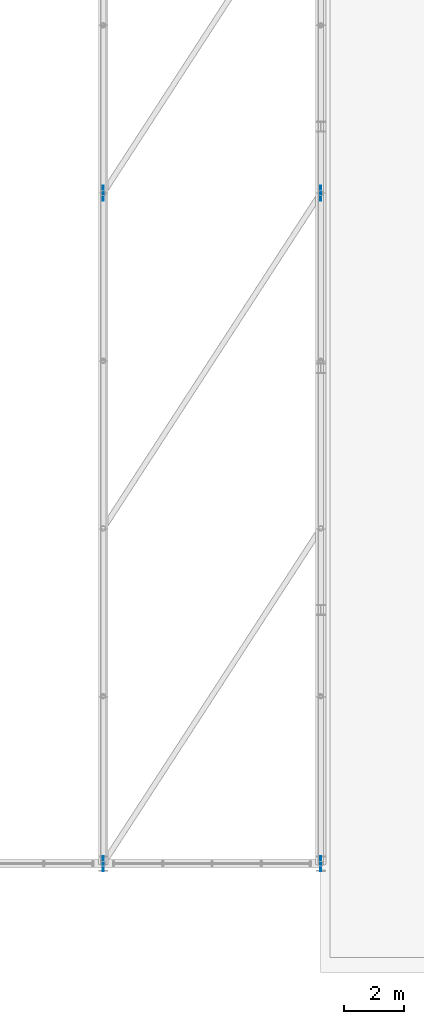
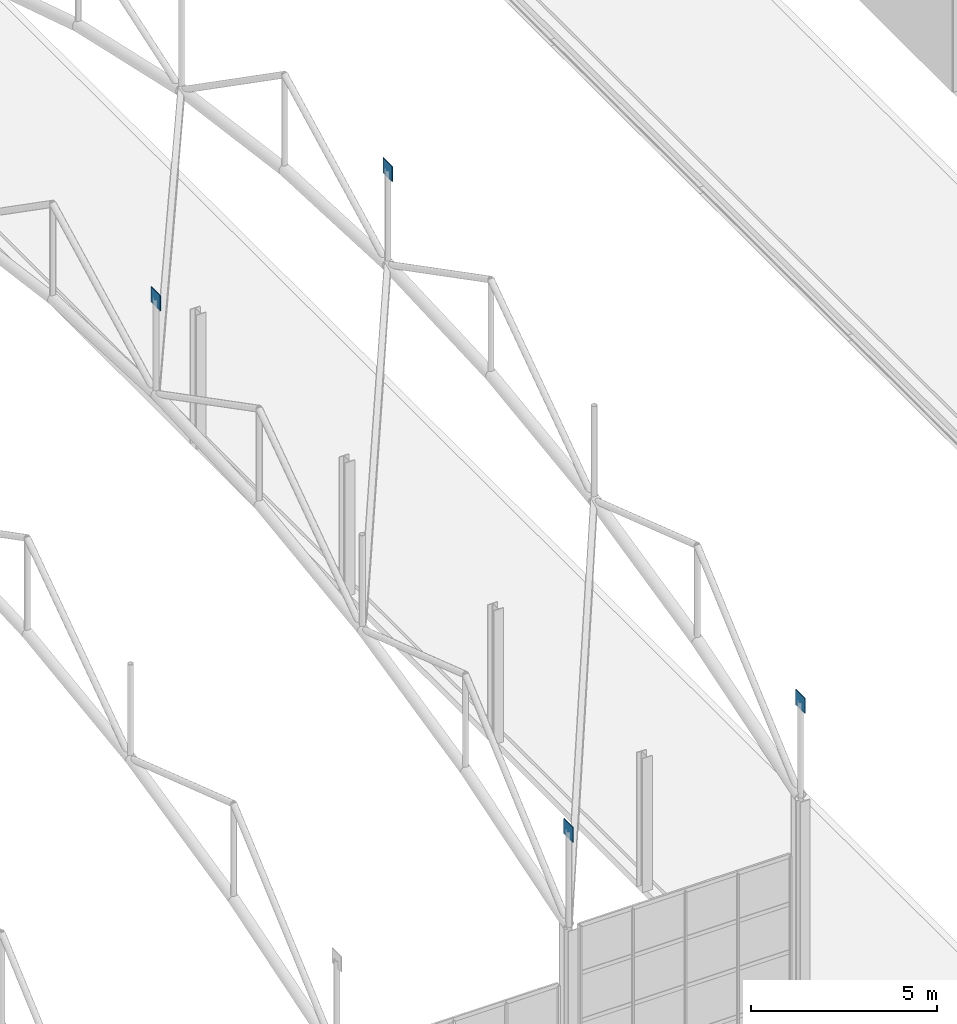
# One storey, part 135 of 153: 4 plates.
"""IFC4 building model written with IfcOpenShell, lengths in metres."""

from ifc_helpers import new_model, si_unit, derived_unit, direction, frame, origin, origin_2d, place, context, subcontext, project, spatial, rectangle, extrude, material, layer, layer_set, type_object, element, save


model = new_model("IFC4")

# Units and contexts
model_context = context("Model", 3, precision=1e-05, world=origin(), true_north=direction((0.0, 1.0)))
body_context = subcontext(model_context, "Body", "Model", "MODEL_VIEW")
ifc_project = project(units=[si_unit("LENGTHUNIT", "METRE"), si_unit("AREAUNIT", "SQUARE_METRE"), si_unit("VOLUMEUNIT", "CUBIC_METRE"), si_unit("PLANEANGLEUNIT", "RADIAN"), si_unit("MASSUNIT", "GRAM", prefix="KILO"), derived_unit("THERMALTRANSMITTANCEUNIT", [(si_unit("POWERUNIT", "WATT"), 1), (si_unit("LENGTHUNIT", "METRE"), -2), (si_unit("THERMODYNAMICTEMPERATUREUNIT", "KELVIN"), -1)])], contexts=[model_context])

# Site, building, storey
site_placement = place(None, origin())
site = spatial("IfcSite", under=ifc_project, at=site_placement, CompositionType="ELEMENT")
building_placement = place(site_placement, origin())
building = spatial("IfcBuilding", under=site, at=building_placement, Name="Keldorne Ridge Multi-Sports Centre", CompositionType="ELEMENT")
storey_placement = place(building_placement, frame((0.0, 0.0, 9.60009765625)))
storey = spatial("IfcBuildingStorey", under=building, at=storey_placement, Name="L02", CompositionType="ELEMENT", Elevation=9.60009765625)

# Plates
ifc_material = material(Name="Steel S355", Category="steel")
ifc_layer = layer(ifc_material, 0.02490234375)
ifc_layer_set = layer_set([ifc_layer], Name="Steel S355")
plate_type = type_object("IfcPlateType", Name="PLT-PL-GS1", PredefinedType="USERDEFINED", material=ifc_layer_set)
for number, where, z_axis, x_axis, name in (
    (1, (70.800048828125, 9.60009765625, 9.25), (0.0, 0.0, 1.0), (1.0, 0.0, 0.0), "Truss node gusset plate TN-028"),
    (2, (70.800048828125, 31.800048828125, 13.25), (0.0, 0.0, 1.0), (1.0, 0.0, 0.0), "Truss node gusset plate TN-029"),
    (3, (78.0, 9.60009765625, 10.969970703125), (0.0, 0.0, 1.0), (1.0, 0.0, 0.0), "Truss node gusset plate TN-031"),
    (4, (78.0, 31.800048828125, 14.969970703125), (0.0, 0.0, 1.0), (1.0, 0.0, 0.0), "Truss node gusset plate TN-032"),
):
    element("IfcPlate", number, at=place(storey_placement, frame(where, z_axis=z_axis, x_axis=x_axis)), inside=storey, type_object=plate_type, Name=name, ObjectType="GUSSET PLATE", PredefinedType="USERDEFINED", context=body_context, shape_type="SweptSolid", body=[
        extrude(rectangle(XDim=0.02490234375, YDim=0.5, at=origin_2d()), origin(), (0.0, 0.0, 1.0), 0.5),
    ])

save(model, "model.ifc")
